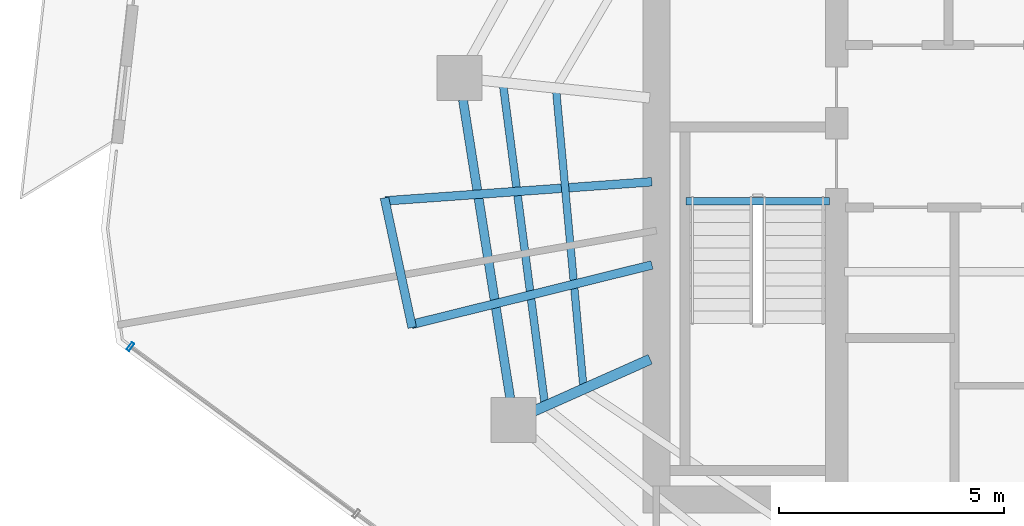
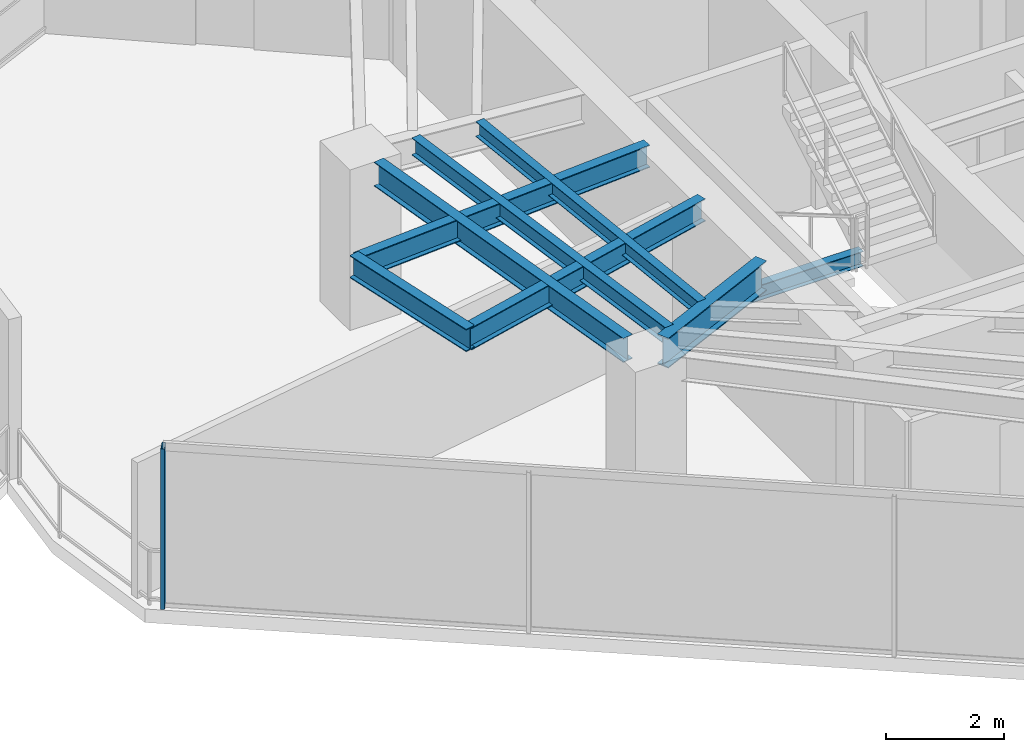
# One storey, part 6 of 22: 8 beams, 1 member, 1 element without a shape of its own.
"""IFC4 building model written with IfcOpenShell, lengths in metres."""

from ifc_helpers import new_model, si_unit, direction, frame, origin, origin_2d, place, context, subcontext, project, spatial, hollow_rectangle, i_section, extrude, material, layer, layer_set, material_profile, profile_set, type_object, element, aggregate, save


model = new_model("IFC4")

# Units and contexts
model_context = context("Model", 3, precision=1e-05, world=origin(), true_north=direction((0.0, 1.0)))
body_context = subcontext(model_context, "Body", "Model", "MODEL_VIEW")
ifc_project = project(units=[si_unit("LENGTHUNIT", "METRE"), si_unit("AREAUNIT", "SQUARE_METRE"), si_unit("VOLUMEUNIT", "CUBIC_METRE"), si_unit("PLANEANGLEUNIT", "RADIAN"), si_unit("MASSUNIT", "GRAM", prefix="KILO")], contexts=[model_context])

# Site, building, storey
site_placement = place(None, origin())
site = spatial("IfcSite", under=ifc_project, at=site_placement, CompositionType="ELEMENT")
building_placement = place(site_placement, origin())
building = spatial("IfcBuilding", under=site, at=building_placement, Name="Qarnah Convention Tower", CompositionType="ELEMENT")
storey_placement = place(building_placement, frame((0.0, 0.0, 154.5)))
storey = spatial("IfcBuildingStorey", under=building, at=storey_placement, Name="L41", CompositionType="ELEMENT", Elevation=154.5)

# Beams
ifc_material_1 = material(Name="Structural steel S355JR", Category="steel")
ifc_material_profile_1 = material_profile(ifc_material_1, i_section(OverallWidth=0.19189453125, OverallDepth=0.464111328125, WebThickness=0.010986328125, FlangeThickness=0.01806640625, at=origin_2d()), Name="W460X89")
ifc_profile_set_1 = profile_set([ifc_material_profile_1], Name="Structural steel S355JR")
beam_type_1 = type_object("IfcBeamType", Name="BM-CANT-W460A", PredefinedType="BEAM", material=ifc_profile_set_1)
beam_1_placement = place(storey_placement, frame((26.699951171875, 25.64794921875, 3.087890625), z_axis=(-0.997431478283, -0.071627132639, 0.0), x_axis=(0.071627132639, -0.997431478283, 0.0)))
element("IfcBeam", 1, at=beam_1_placement, inside=storey, type_object=beam_type_1, Name="L41 beam BM-L41-CNT-02-1", PredefinedType="BEAM", context=body_context, shape_type="SweptSolid", body=[
    extrude(i_section(OverallWidth=0.19189453125, OverallDepth=0.464111328125, WebThickness=0.010986328125, FlangeThickness=0.01806640625, at=origin_2d()), origin(), (0.0, 0.0, 1.0), 5.93408203125),
])
beam_2_placement = place(storey_placement, frame((26.702880859375, 23.802001953125, 3.087890625), z_axis=(-0.970704086067, -0.240278124872, 0.0), x_axis=(0.240278124872, -0.970704086067, 0.0)))
element("IfcBeam", 2, at=beam_2_placement, inside=storey, type_object=beam_type_1, Name="L41 beam BM-L41-CNT-02-2", PredefinedType="BEAM", context=body_context, shape_type="SweptSolid", body=[
    extrude(i_section(OverallWidth=0.19189453125, OverallDepth=0.464111328125, WebThickness=0.010986328125, FlangeThickness=0.01806640625, at=origin_2d()), origin(), (0.0, 0.0, 1.0), 5.498046875),
])
beam_3_placement = place(storey_placement, frame((20.76611328125, 25.291015625, 3.087890625), z_axis=(0.208973836363, -0.977921231857, 0.0), x_axis=(0.977921231857, 0.208973836363, 0.0)))
element("IfcBeam", 3, at=beam_3_placement, inside=storey, type_object=beam_type_1, Name="L41 spandrel BM-L41-CTIE-02", PredefinedType="SPANDREL", context=body_context, shape_type="SweptSolid", body=[
    extrude(i_section(OverallWidth=0.19189453125, OverallDepth=0.464111328125, WebThickness=0.010986328125, FlangeThickness=0.01806640625, at=origin_2d()), origin(), (0.0, 0.0, 1.0), 2.94287109375),
])
ifc_material_profile_2 = material_profile(ifc_material_1, i_section(OverallWidth=0.166015625, OverallDepth=0.31201171875, WebThickness=0.007080078125, FlangeThickness=0.010986328125, at=origin_2d()), Name="W310X45")
ifc_profile_set_2 = profile_set([ifc_material_profile_2], Name="Structural steel S355JR")
beam_type_2 = type_object("IfcBeamType", Name="BM-JST-W310", PredefinedType="JOIST", material=ifc_profile_set_2)
beam_4_placement = place(storey_placement, frame((27.4599609375, 25.217041015625, -0.156005859375), z_axis=(1.0, 0.0, 0.0), x_axis=(0.0, 1.0, 0.0)))
element("IfcBeam", 4, at=beam_4_placement, inside=storey, type_object=beam_type_2, Name="L41 stair landing trimmer beam BM-L41-ST1-TRM", PredefinedType="BEAM", context=body_context, shape_type="SweptSolid", body=[
    extrude(i_section(OverallWidth=0.166015625, OverallDepth=0.31201171875, WebThickness=0.007080078125, FlangeThickness=0.010986328125, at=origin_2d()), origin(), (0.0, 0.0, 1.0), 3.179931640625),
])
beam_5_placement = place(storey_placement, frame((24.580078125, 27.636962890625, 3.1640625), z_axis=(0.091507562391, -0.995804381405, 0.0), x_axis=(0.995804381405, 0.091507562391, 0.0)))
element("IfcBeam", 5, at=beam_5_placement, inside=storey, type_object=beam_type_2, Name="L41 joist BM-L41-IJST-05", PredefinedType="JOIST", context=body_context, shape_type="SweptSolid", body=[
    extrude(i_section(OverallWidth=0.166015625, OverallDepth=0.31201171875, WebThickness=0.007080078125, FlangeThickness=0.010986328125, at=origin_2d()), origin(), (0.0, 0.0, 1.0), 6.523193359375),
])
ifc_material_profile_3 = material_profile(ifc_material_1, i_section(OverallWidth=0.172119140625, OverallDepth=0.35595703125, WebThickness=0.007080078125, FlangeThickness=0.011962890625, at=origin_2d()), Name="W360X51")
ifc_profile_set_3 = profile_set([ifc_material_profile_3], Name="Structural steel S355JR")
beam_type_3 = type_object("IfcBeamType", Name="BM-JST-W360", PredefinedType="JOIST", material=ifc_profile_set_3)
beam_6_placement = place(storey_placement, frame((23.404052734375, 27.761962890625, 3.14208984375), z_axis=(0.12956381361, -0.991571085804, 0.0), x_axis=(0.991571085804, 0.12956381361, 0.0)))
element("IfcBeam", 6, at=beam_6_placement, inside=storey, type_object=beam_type_3, Name="L41 joist BM-L41-SJST-05", PredefinedType="JOIST", context=body_context, shape_type="SweptSolid", body=[
    extrude(i_section(OverallWidth=0.172119140625, OverallDepth=0.35595703125, WebThickness=0.007080078125, FlangeThickness=0.011962890625, at=origin_2d()), origin(), (0.0, 0.0, 1.0), 7.0625),
])
ifc_material_profile_4 = material_profile(ifc_material_1, i_section(OverallWidth=0.22998046875, OverallDepth=0.617919921875, WebThickness=0.012939453125, FlangeThickness=0.02197265625, at=origin_2d()), Name="W610X140")
ifc_profile_set_4 = profile_set([ifc_material_profile_4], Name="Structural steel S355JR")
beam_type_4 = type_object("IfcBeamType", Name="BM-RAD-W610A", PredefinedType="BEAM", material=ifc_profile_set_4)
beam_7_placement = place(storey_placement, frame((26.6630859375, 21.708984375, 3.010986328125), z_axis=(-0.913488265638, -0.406865074123, 0.0), x_axis=(0.406865074123, -0.913488265638, 0.0)))
element("IfcBeam", 7, at=beam_7_placement, inside=storey, type_object=beam_type_4, Name="L41 beam BM-L41-RAD-06", PredefinedType="BEAM", context=body_context, shape_type="SweptSolid", body=[
    extrude(i_section(OverallWidth=0.22998046875, OverallDepth=0.617919921875, WebThickness=0.012939453125, FlangeThickness=0.02197265625, at=origin_2d()), origin(), (0.0, 0.0, 1.0), 2.83642578125),
])
ifc_material_profile_5 = material_profile(ifc_material_1, i_section(OverallWidth=0.199951171875, OverallDepth=0.5, WebThickness=0.010009765625, FlangeThickness=0.01611328125, at=origin_2d()), Name="IPE500")
ifc_profile_set_5 = profile_set([ifc_material_profile_5], Name="Structural steel S355JR")
beam_type_5 = type_object("IfcBeamType", Name="BM-SPN-IPE500", PredefinedType="SPANDREL", material=ifc_profile_set_5)
beam_8_placement = place(storey_placement, frame((22.508056640625, 27.468017578125, 3.070068359375), z_axis=(0.156388773261, -0.987695576379, 0.0), x_axis=(0.987695576379, 0.156388773261, 0.0)))
element("IfcBeam", 8, at=beam_8_placement, inside=storey, type_object=beam_type_5, Name="L41 spandrel BM-L41-SPN-05", PredefinedType="SPANDREL", context=body_context, shape_type="SweptSolid", body=[
    extrude(i_section(OverallWidth=0.199951171875, OverallDepth=0.5, WebThickness=0.010009765625, FlangeThickness=0.01611328125, at=origin_2d()), origin(), (0.0, 0.0, 1.0), 6.70654296875),
])

# Curtain wall, member
ifc_material_2 = material(Name="Tempered Low-E dark glass", Category="glass")
ifc_layer = layer(ifc_material_2, 0.172119140625)
ifc_layer_set = layer_set([ifc_layer], Name="Tempered Low-E dark glass")
curtain_wall_type = type_object("IfcCurtainWallType", Name="CWS-03", PredefinedType="NOTDEFINED", material=ifc_layer_set)
curtain_wall_placement = place(storey_placement, origin())
curtain_wall = element("IfcCurtainWall", 9, at=curtain_wall_placement, inside=storey, type_object=curtain_wall_type, Name="L41 unitised curtain wall CW-L41-F2", PredefinedType="NOTDEFINED")
ifc_material_3 = material(Name="Black anodised aluminium", Category="aluminium")
ifc_material_profile_6 = material_profile(ifc_material_3, hollow_rectangle(XDim=0.070068359375, YDim=0.199951171875, WallThickness=0.0048828125, at=origin_2d()), Name="MUL-70X200")
ifc_profile_set_6 = profile_set([ifc_material_profile_6], Name="Black anodised aluminium")
member_type = type_object("IfcMemberType", Name="MUL-T3", PredefinedType="MULLION", material=ifc_profile_set_6)
member_placement = place(storey_placement, frame((15.1298828125, 21.989013671875, 0.0), z_axis=(0.0, 0.0, 1.0), x_axis=(-0.804054129382, 0.594556100821, 0.0)))
member = element("IfcMember", 10, at=member_placement, type_object=member_type, Name="CW-L41-F2 mullion 6", PredefinedType="MULLION", context=body_context, shape_type="SweptSolid", body=[
    extrude(hollow_rectangle(XDim=0.070068359375, YDim=0.199951171875, WallThickness=0.0048828125, at=origin_2d()), origin(), (0.0, 0.0, 1.0), 3.320068359375),
])
aggregate(curtain_wall, [member])

save(model, "model.ifc")
